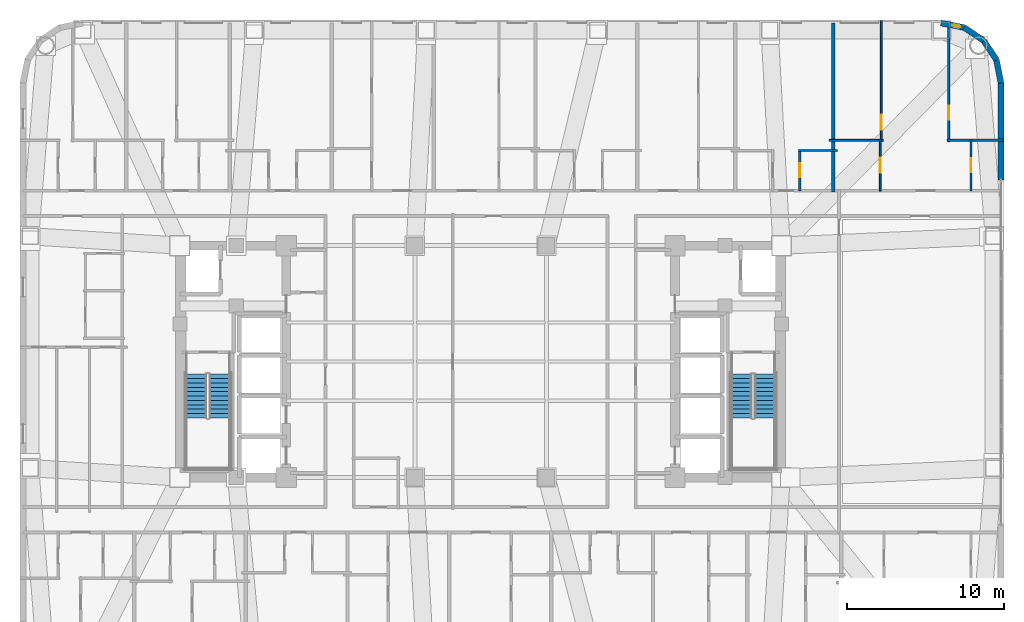
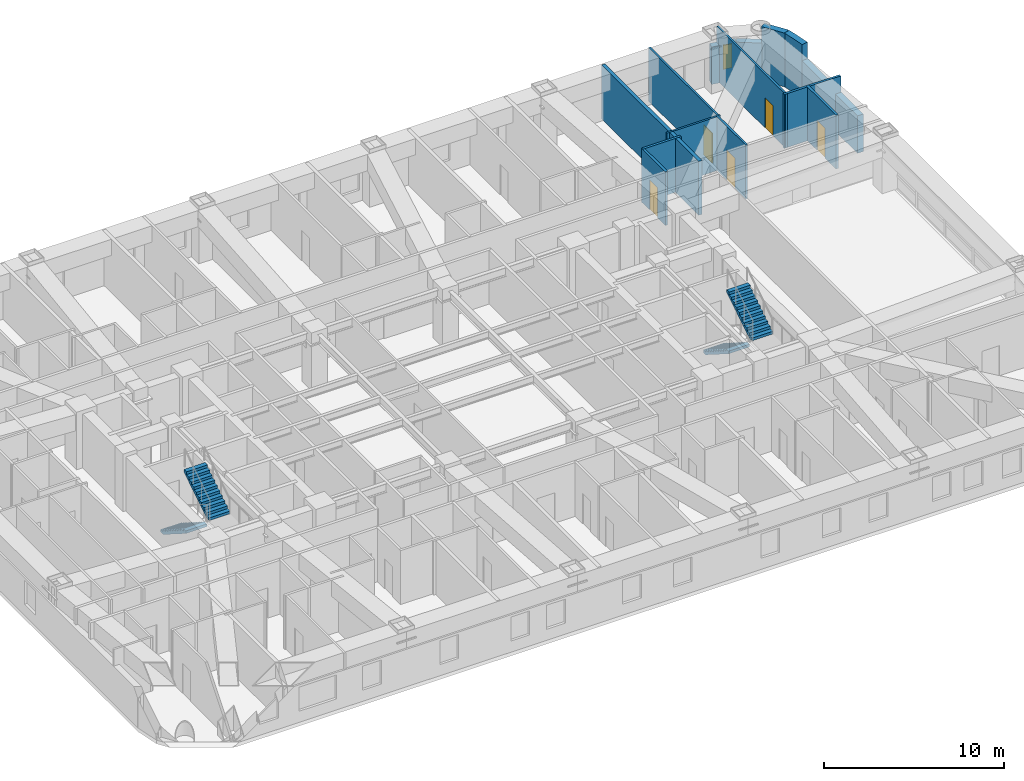
# One storey, part 14 of 16: 14 walls, 5 doors, 4 stair flights, 1 window, 6 openings, 2 elements without a shape of their own.
"""IFC4 building model written with IfcOpenShell, lengths in metres."""

from ifc_helpers import new_model, si_unit, direction, frame, frame_2d, origin, place, context, subcontext, project, spatial, polyline, rectangle, outline, extrude, material, layer, layer_set, type_object, element, fill, aggregate, save


model = new_model("IFC4")

# Units and contexts
model_context = context("Model", 3, precision=1e-05, world=origin(), true_north=direction((0.0, 1.0)))
body_context = subcontext(model_context, "Body", "Model", "MODEL_VIEW")
ifc_project = project(units=[si_unit("LENGTHUNIT", "METRE"), si_unit("AREAUNIT", "SQUARE_METRE"), si_unit("VOLUMEUNIT", "CUBIC_METRE"), si_unit("PLANEANGLEUNIT", "RADIAN"), si_unit("MASSUNIT", "GRAM", prefix="KILO")], contexts=[model_context])

# Site, building, storey
site_placement = place(None, origin())
site = spatial("IfcSite", under=ifc_project, at=site_placement, CompositionType="ELEMENT")
building_placement = place(site_placement, origin())
building = spatial("IfcBuilding", under=site, at=building_placement, Name="Voryun Gate Residences", CompositionType="ELEMENT")
storey_placement = place(building_placement, frame((0.0, 0.0, 89.699951171875)))
storey = spatial("IfcBuildingStorey", under=building, at=storey_placement, Name="L21", CompositionType="ELEMENT", Elevation=89.699951171875)

# Wall, opening, window
ifc_material_1 = material(Name="Granite masonry", Category="masonry")
ifc_layer_1 = layer(ifc_material_1, 0.3798828125, Name="W_EXT_GRANITE_380")
ifc_layer_set_1 = layer_set([ifc_layer_1], Name="Granite masonry")
wall_type_1 = type_object("IfcWallType", Name="W_EXT_GRANITE_380", PredefinedType="ELEMENTEDWALL", material=ifc_layer_set_1)
wall_1_placement = place(storey_placement, frame((29.38134765625, 21.610107421875, 0.0), z_axis=(0.0, 0.0, 1.0), x_axis=(0.980755066645, -0.195242155415, 0.0)))
wall_1 = element("IfcWall", 1, at=wall_1_placement, inside=storey, type_object=wall_type_1, Name="Exterior wall WEXT-L21-12", PredefinedType="ELEMENTEDWALL", context=body_context, shape_type="SweptSolid", body=[
    extrude(rectangle(XDim=1.50439453125, YDim=0.3798828125, at=frame_2d((0.752197265625, 0.0))), origin(), (0.0, 0.0, 1.0), 2.5400390625),
])
opening_1_placement = place(wall_1_placement, frame((0.732177734375, 0.0, 0.75)))
opening_1 = element("IfcOpeningElement", 2, at=opening_1_placement, cuts=wall_1, Name="Opening WN10", PredefinedType="OPENING", context=body_context, shape_type="SweptSolid", body=[
    extrude(rectangle(XDim=0.52001953125, YDim=1.6298828125, at=frame_2d((0.260009765625, 0.81494140625))), frame((0.0, 0.199951171875, 0.0), z_axis=(0.0, -1.0, 0.0), x_axis=(1.0, 0.0, 0.0)), (0.0, 0.0, 1.0), 0.39990234375),
])
ifc_material_2 = material(Name="Laminated low-E glass", Category="glass")
window_type = type_object("IfcWindowType", Name="WN_PAGODA_LANCET_520", PartitioningType="SINGLE_PANEL", PredefinedType="WINDOW", material=ifc_material_2)
window_placement = place(opening_1_placement, origin())
window = element("IfcWindow", 3, at=window_placement, inside=storey, type_object=window_type, Name="Window WN-L21-DWFIX-14", OverallHeight=1.6298828125, OverallWidth=0.52001953125, PartitioningType="SINGLE_PANEL", PredefinedType="WINDOW", context=body_context, shape_type="SweptSolid", body=[
    extrude(rectangle(XDim=0.52001953125, YDim=1.6298828125, at=frame_2d((0.260009765625, 0.81494140625))), frame((0.0, 0.030029296875, 0.0), z_axis=(0.0, -1.0, 0.0), x_axis=(1.0, 0.0, 0.0)), (0.0, 0.0, 1.0), 0.06005859375),
])
fill(opening_1, window)

# Walls
wall_2_placement = place(storey_placement, frame((30.856689453125, 21.31640625, 0.0), z_axis=(0.0, 0.0, 1.0), x_axis=(0.831468045563, -0.555572577804, 0.0)))
element("IfcWall", 4, at=wall_2_placement, inside=storey, type_object=wall_type_1, Name="Exterior wall WEXT-L21-13", PredefinedType="ELEMENTEDWALL", context=body_context, shape_type="SweptSolid", body=[
    extrude(rectangle(XDim=1.48486328125, YDim=0.3798828125, at=frame_2d((0.742431640625, 0.0))), origin(), (0.0, 0.0, 1.0), 2.5400390625),
])
wall_3_placement = place(storey_placement, frame((32.09130859375, 20.491455078125, 0.0), z_axis=(0.0, 0.0, 1.0), x_axis=(0.555610286119, -0.831442848281, 0.0)))
element("IfcWall", 5, at=wall_3_placement, inside=storey, type_object=wall_type_1, Name="Exterior wall WEXT-L21-14", PredefinedType="ELEMENTEDWALL", context=body_context, shape_type="SweptSolid", body=[
    extrude(rectangle(XDim=1.485107421875, YDim=0.3798828125, at=frame_2d((0.74267578125, 0.0))), origin(), (0.0, 0.0, 1.0), 3.650146484375),
])
wall_4_placement = place(storey_placement, frame((32.91650390625, 19.256591796875, 0.0), z_axis=(0.0, 0.0, 1.0), x_axis=(0.195086038585, -0.980786132421, 0.0)))
element("IfcWall", 6, at=wall_4_placement, inside=storey, type_object=wall_type_1, Name="Exterior wall WEXT-L21-15", PredefinedType="ELEMENTEDWALL", context=body_context, shape_type="SweptSolid", body=[
    extrude(rectangle(XDim=1.504150390625, YDim=0.3798828125, at=frame_2d((0.751953125, 0.0))), origin(), (0.0, 0.0, 1.0), 3.650146484375),
])
wall_5_placement = place(storey_placement, frame((33.2099609375, 17.78125, 0.0), z_axis=(0.0, 0.0, 1.0), x_axis=(0.0, -1.0, 0.0)))
element("IfcWall", 7, at=wall_5_placement, inside=storey, type_object=wall_type_1, Name="Exterior wall WEXT-L21-16A", PredefinedType="ELEMENTEDWALL", context=body_context, shape_type="SweptSolid", body=[
    extrude(rectangle(XDim=6.185302734375, YDim=0.3798828125, at=frame_2d((3.0927734375, 0.0))), origin(), (0.0, 0.0, 1.0), 2.5400390625),
])
ifc_material_3 = material(Name="Concrete C40/50", Category="concrete")
ifc_layer_2 = layer(ifc_material_3, 0.219970703125, Name="W_PARTY_ACOUSTIC_220")
ifc_layer_set_2 = layer_set([ifc_layer_2], Name="Concrete C40/50")
wall_type_2 = type_object("IfcWallType", Name="W_PARTY_ACOUSTIC_220", PredefinedType="PARTITIONING", material=ifc_layer_set_2)
wall_6_placement = place(storey_placement, frame((22.5, 10.820068359375, 0.0), z_axis=(0.0, 0.0, 1.0), x_axis=(0.0, 1.0, 0.0)))
element("IfcWall", 8, at=wall_6_placement, inside=storey, type_object=wall_type_2, Name="Partition wall WP-L21-NPTY-8", PredefinedType="PARTITIONING", context=body_context, shape_type="SweptSolid", body=[
    extrude(rectangle(XDim=10.7900390625, YDim=0.219970703125, at=frame_2d((5.39501953125, 0.0))), origin(), (0.0, 0.0, 1.0), 3.650146484375),
])

# Wall, opening, door
ifc_material_4 = material(Name="Gypsum acoustic partition")
ifc_layer_3 = layer(ifc_material_4, 0.125, Name="W_UNIT_PART_125")
ifc_layer_set_3 = layer_set([ifc_layer_3], Name="Gypsum acoustic partition")
wall_type_3 = type_object("IfcWallType", Name="W_UNIT_PART_125", PredefinedType="PARTITIONING", material=ifc_layer_set_3)
wall_7_placement = place(storey_placement, frame((25.56494140625, 14.0400390625, 0.0), z_axis=(0.0, 0.0, 1.0), x_axis=(0.0, 1.0, 0.0)))
wall_7 = element("IfcWall", 9, at=wall_7_placement, inside=storey, type_object=wall_type_3, Name="Partition wall WP-L21-N9-OVL", PredefinedType="PARTITIONING", context=body_context, shape_type="SweptSolid", body=[
    extrude(rectangle(XDim=7.719970703125, YDim=0.125, at=frame_2d((3.85986328125, 0.0))), origin(), (0.0, 0.0, 1.0), 3.650146484375),
])
opening_2_placement = place(wall_7_placement, frame((0.76025390625, 0.0, 0.0)))
opening_2 = element("IfcOpeningElement", 10, at=opening_2_placement, cuts=wall_7, Name="Opening D-INT-1", PredefinedType="OPENING", context=body_context, shape_type="SweptSolid", body=[
    extrude(rectangle(XDim=0.949951171875, YDim=2.050048828125, at=frame_2d((0.47509765625, 1.02490234375))), frame((0.0, 0.072509765625, 0.0), z_axis=(0.0, -1.0, 0.0), x_axis=(1.0, 0.0, 0.0)), (0.0, 0.0, 1.0), 0.14501953125),
])
ifc_material_5 = material(Name="Architectural oak veneer")
door_type_1 = type_object("IfcDoorType", Name="DR_INT_ROOM_950", OperationType="NOTDEFINED", PredefinedType="DOOR", material=ifc_material_5)
door_1_placement = place(opening_2_placement, origin())
door_1 = element("IfcDoor", 11, at=door_1_placement, inside=storey, type_object=door_type_1, Name="Door DR-L21-N9-DB2", OperationType="SINGLE_SWING_LEFT", OverallHeight=2.050048828125, OverallWidth=0.949951171875, PredefinedType="DOOR", context=body_context, shape_type="SweptSolid", body=[
    extrude(rectangle(XDim=0.949951171875, YDim=2.050048828125, at=frame_2d((0.47509765625, 1.02490234375))), frame((0.0, 0.02490234375, 0.0), z_axis=(0.0, -1.0, 0.0), x_axis=(1.0, 0.0, 0.0)), (0.0, 0.0, 1.0), 0.050048828125),
])
fill(opening_2, door_1)

wall_8_placement = place(storey_placement, frame((29.867919921875, 14.0400390625, 0.0), z_axis=(0.0, 0.0, 1.0), x_axis=(0.0, 1.0, 0.0)))
wall_8 = element("IfcWall", 12, at=wall_8_placement, inside=storey, type_object=wall_type_3, Name="Partition wall WP-L21-N9-OVR", PredefinedType="PARTITIONING", context=body_context, shape_type="SweptSolid", body=[
    extrude(rectangle(XDim=7.6259765625, YDim=0.125, at=frame_2d((3.81298828125, 0.0))), origin(), (0.0, 0.0, 1.0), 3.650146484375),
])
opening_3_placement = place(wall_8_placement, frame((1.38037109375, 0.0, 0.0)))
opening_3 = element("IfcOpeningElement", 13, at=opening_3_placement, cuts=wall_8, Name="Opening D-INT-2", PredefinedType="OPENING", context=body_context, shape_type="SweptSolid", body=[
    extrude(rectangle(XDim=0.89990234375, YDim=2.050048828125, at=frame_2d((0.449951171875, 1.02490234375))), frame((0.0, 0.072509765625, 0.0), z_axis=(0.0, -1.0, 0.0), x_axis=(1.0, 0.0, 0.0)), (0.0, 0.0, 1.0), 0.14501953125),
])
ifc_material_6 = material(Name="Architectural oak veneer")
door_type_2 = type_object("IfcDoorType", Name="DR_INT_BATH_900", OperationType="NOTDEFINED", PredefinedType="DOOR", material=ifc_material_6)
door_2_placement = place(opening_3_placement, origin())
door_2 = element("IfcDoor", 14, at=door_2_placement, inside=storey, type_object=door_type_2, Name="Door DR-L21-N9-DMB", OperationType="SINGLE_SWING_RIGHT", OverallHeight=2.050048828125, OverallWidth=0.89990234375, PredefinedType="DOOR", context=body_context, shape_type="SweptSolid", body=[
    extrude(rectangle(XDim=0.89990234375, YDim=2.050048828125, at=frame_2d((0.449951171875, 1.02490234375))), frame((0.0, 0.02490234375, 0.0), z_axis=(0.0, -1.0, 0.0), x_axis=(1.0, 0.0, 0.0)), (0.0, 0.0, 1.0), 0.050048828125),
])
fill(opening_3, door_2)

wall_9_placement = place(storey_placement, frame((25.5009765625, 10.8798828125, 0.0), z_axis=(0.0, 0.0, 1.0), x_axis=(0.0, 1.0, 0.0)))
wall_9 = element("IfcWall", 15, at=wall_9_placement, inside=storey, type_object=wall_type_3, Name="Partition wall WP-L21-N9-IVK", PredefinedType="PARTITIONING", context=body_context, shape_type="SweptSolid", body=[
    extrude(rectangle(XDim=3.320068359375, YDim=0.125, at=frame_2d((1.66015625, 0.0))), origin(), (0.0, 0.0, 1.0), 3.650146484375),
])
opening_4_placement = place(wall_9_placement, frame((1.18505859375, 0.0, 0.0)))
opening_4 = element("IfcOpeningElement", 16, at=opening_4_placement, cuts=wall_9, Name="Opening D-INT-1", PredefinedType="OPENING", context=body_context, shape_type="SweptSolid", body=[
    extrude(rectangle(XDim=0.949951171875, YDim=2.050048828125, at=frame_2d((0.47509765625, 1.02490234375))), frame((0.0, 0.072509765625, 0.0), z_axis=(0.0, -1.0, 0.0), x_axis=(1.0, 0.0, 0.0)), (0.0, 0.0, 1.0), 0.14501953125),
])
door_3_placement = place(opening_4_placement, origin())
door_3 = element("IfcDoor", 17, at=door_3_placement, inside=storey, type_object=door_type_1, Name="Door DR-L21-N9-DK", OperationType="SINGLE_SWING_LEFT", OverallHeight=2.050048828125, OverallWidth=0.949951171875, PredefinedType="DOOR", context=body_context, shape_type="SweptSolid", body=[
    extrude(rectangle(XDim=0.949951171875, YDim=2.050048828125, at=frame_2d((0.47509765625, 1.02490234375))), frame((0.0, 0.02490234375, 0.0), z_axis=(0.0, -1.0, 0.0), x_axis=(1.0, 0.0, 0.0)), (0.0, 0.0, 1.0), 0.050048828125),
])
fill(opening_4, door_3)

# Wall
wall_10_placement = place(storey_placement, frame((22.239990234375, 14.1201171875, 0.0), z_axis=(0.0, 0.0, 1.0), x_axis=(1.0, 0.0, 0.0)))
element("IfcWall", 18, at=wall_10_placement, inside=storey, type_object=wall_type_3, Name="Partition wall WP-L21-N9-HZK", PredefinedType="PARTITIONING", context=body_context, shape_type="SweptSolid", body=[
    extrude(rectangle(XDim=3.445068359375, YDim=0.125, at=frame_2d((1.72265625, 0.0))), origin(), (0.0, 0.0, 1.0), 3.650146484375),
])

# Wall, opening, door
ifc_material_7 = material(Name="Gypsum moisture-resistant partition")
ifc_layer_4 = layer(ifc_material_7, 0.14990234375, Name="W_WET_PLUMB_150")
ifc_layer_set_4 = layer_set([ifc_layer_4], Name="Gypsum moisture-resistant partition")
wall_type_4 = type_object("IfcWallType", Name="W_WET_PLUMB_150", PredefinedType="PLUMBINGWALL", material=ifc_layer_set_4)
wall_11_placement = place(storey_placement, frame((20.35595703125, 10.8798828125, 0.0), z_axis=(0.0, 0.0, 1.0), x_axis=(0.0, 1.0, 0.0)))
wall_11 = element("IfcWall", 19, at=wall_11_placement, inside=storey, type_object=wall_type_4, Name="Partition wall WP-L21-N8-CVB", PredefinedType="PLUMBINGWALL", context=body_context, shape_type="SweptSolid", body=[
    extrude(rectangle(XDim=2.650146484375, YDim=0.14990234375, at=frame_2d((1.3251953125, 0.0))), origin(), (0.0, 0.0, 1.0), 3.650146484375),
])
opening_5_placement = place(wall_11_placement, frame((0.875, 0.0, 0.0)))
opening_5 = element("IfcOpeningElement", 20, at=opening_5_placement, cuts=wall_11, Name="Opening D-INT-2", PredefinedType="OPENING", context=body_context, shape_type="SweptSolid", body=[
    extrude(rectangle(XDim=0.89990234375, YDim=2.050048828125, at=frame_2d((0.449951171875, 1.02490234375))), frame((0.0, 0.0849609375, 0.0), z_axis=(0.0, -1.0, 0.0), x_axis=(1.0, 0.0, 0.0)), (0.0, 0.0, 1.0), 0.169921875),
])
door_4_placement = place(opening_5_placement, origin())
door_4 = element("IfcDoor", 21, at=door_4_placement, inside=storey, type_object=door_type_2, Name="Door DR-L21-N8-DB", OperationType="SINGLE_SWING_RIGHT", OverallHeight=2.050048828125, OverallWidth=0.89990234375, PredefinedType="DOOR", context=body_context, shape_type="SweptSolid", body=[
    extrude(rectangle(XDim=0.89990234375, YDim=2.050048828125, at=frame_2d((0.449951171875, 1.02490234375))), frame((0.0, 0.02490234375, 0.0), z_axis=(0.0, -1.0, 0.0), x_axis=(1.0, 0.0, 0.0)), (0.0, 0.0, 1.0), 0.050048828125),
])
fill(opening_5, door_4)

# Walls
wall_12_placement = place(storey_placement, frame((20.2958984375, 13.469970703125, 0.0), z_axis=(0.0, 0.0, 1.0), x_axis=(1.0, 0.0, 0.0)))
element("IfcWall", 22, at=wall_12_placement, inside=storey, type_object=wall_type_4, Name="Partition wall WP-L21-N8-CHB", PredefinedType="PLUMBINGWALL", context=body_context, shape_type="SweptSolid", body=[
    extrude(rectangle(XDim=2.464111328125, YDim=0.14990234375, at=frame_2d((1.23193359375, 0.0))), origin(), (0.0, 0.0, 1.0), 3.650146484375),
])
wall_13_placement = place(storey_placement, frame((29.748046875, 14.1201171875, 0.0), z_axis=(0.0, 0.0, 1.0), x_axis=(1.0, 0.0, 0.0)))
element("IfcWall", 23, at=wall_13_placement, inside=storey, type_object=wall_type_4, Name="Partition wall WP-L21-N9-HZB", PredefinedType="PLUMBINGWALL", context=body_context, shape_type="SweptSolid", body=[
    extrude(rectangle(XDim=3.612060546875, YDim=0.14990234375, at=frame_2d((1.80615234375, 0.0))), origin(), (0.0, 0.0, 1.0), 3.650146484375),
])

# Wall, opening, door
wall_14_placement = place(storey_placement, frame((31.298095703125, 10.8798828125, 0.0), z_axis=(0.0, 0.0, 1.0), x_axis=(0.0, 1.0, 0.0)))
wall_14 = element("IfcWall", 24, at=wall_14_placement, inside=storey, type_object=wall_type_4, Name="Partition wall WP-L21-N9-IVB", PredefinedType="PLUMBINGWALL", context=body_context, shape_type="SweptSolid", body=[
    extrude(rectangle(XDim=3.320068359375, YDim=0.14990234375, at=frame_2d((1.66015625, 0.0))), origin(), (0.0, 0.0, 1.0), 3.650146484375),
])
opening_6_placement = place(wall_14_placement, frame((1.2099609375, 0.0, 0.0)))
opening_6 = element("IfcOpeningElement", 25, at=opening_6_placement, cuts=wall_14, Name="Opening D-INT-2", PredefinedType="OPENING", context=body_context, shape_type="SweptSolid", body=[
    extrude(rectangle(XDim=0.89990234375, YDim=2.050048828125, at=frame_2d((0.449951171875, 1.02490234375))), frame((0.0, 0.0849609375, 0.0), z_axis=(0.0, -1.0, 0.0), x_axis=(1.0, 0.0, 0.0)), (0.0, 0.0, 1.0), 0.169921875),
])
door_5_placement = place(opening_6_placement, origin())
door_5 = element("IfcDoor", 26, at=door_5_placement, inside=storey, type_object=door_type_2, Name="Door DR-L21-N9-DB", OperationType="SINGLE_SWING_RIGHT", OverallHeight=2.050048828125, OverallWidth=0.89990234375, PredefinedType="DOOR", context=body_context, shape_type="SweptSolid", body=[
    extrude(rectangle(XDim=0.89990234375, YDim=2.050048828125, at=frame_2d((0.449951171875, 1.02490234375))), frame((0.0, 0.02490234375, 0.0), z_axis=(0.0, -1.0, 0.0), x_axis=(1.0, 0.0, 0.0)), (0.0, 0.0, 1.0), 0.050048828125),
])
fill(opening_6, door_5)

# Stair, stair flights
ifc_material_8 = material(Name="Concrete C40/50", Category="concrete")
stair_type = type_object("IfcStairType", Name="STR_CORE_DOGLEG_1350", PredefinedType="HALF_TURN_STAIR", material=ifc_material_8)
stair_1_placement = place(storey_placement, origin())
stair_1 = element("IfcStair", 27, at=stair_1_placement, inside=storey, type_object=stair_type, Name="L21 Special Escape Stair ST-W1", PredefinedType="HALF_TURN_STAIR")
ifc_material_9 = material(Name="Concrete C40/50", Category="concrete")
stair_flight_type = type_object("IfcStairFlightType", Name="FLT_CORE_1350", PredefinedType="STRAIGHT", material=ifc_material_9)
stair_flight_1_placement = place(storey_placement, frame((-18.14990234375, -0.800048828125, 0.0), z_axis=(0.0, 0.0, 1.0), x_axis=(0.0, -1.0, 0.0)))
stair_flight_1 = element("IfcStairFlight", 28, at=stair_flight_1_placement, type_object=stair_flight_type, Name="ST-W1 flight 1", NumberOfRisers=11, NumberOfTreads=10, PredefinedType="STRAIGHT", RiserHeight=0.177272727, TreadLength=0.28, context=body_context, shape_type="SweptSolid", body=[
    extrude(outline(polyline([(0.0, 0.0), (0.0, 0.17724609375), (0.280029296875, 0.17724609375), (0.280029296875, 0.3544921875), (0.56005859375, 0.3544921875), (0.56005859375, 0.53173828125), (0.840087890625, 0.53173828125), (0.840087890625, 0.708984375), (1.1201171875, 0.708984375), (1.1201171875, 0.886474609375), (1.39990234375, 0.886474609375), (1.39990234375, 1.063720703125), (1.679931640625, 1.063720703125), (1.679931640625, 1.240966796875), (1.9599609375, 1.240966796875), (1.9599609375, 1.418212890625), (2.239990234375, 1.418212890625), (2.239990234375, 1.595458984375), (2.52001953125, 1.595458984375), (2.52001953125, 1.772705078125), (2.800048828125, 1.772705078125), (2.800048828125, 1.949951171875), (2.800048828125, 1.59521484375), (0.2802734375, 0.0), (0.0, 0.0)])), frame((0.0, 0.675048828125, 0.0), z_axis=(0.0, -1.0, 0.0), x_axis=(1.0, 0.0, 0.0)), (0.0, 0.0, 1.0), 1.35009765625),
])
stair_flight_2_placement = place(storey_placement, frame((-16.64990234375, -3.60009765625, 1.949951171875), z_axis=(0.0, 0.0, 1.0), x_axis=(0.0, 1.0, 0.0)))
stair_flight_2 = element("IfcStairFlight", 29, at=stair_flight_2_placement, type_object=stair_flight_type, Name="ST-W1 flight 2", NumberOfRisers=11, NumberOfTreads=10, PredefinedType="STRAIGHT", RiserHeight=0.177272727, TreadLength=0.28, context=body_context, shape_type="SweptSolid", body=[
    extrude(outline(polyline([(0.0, 0.0), (0.0, 0.17724609375), (0.280029296875, 0.17724609375), (0.280029296875, 0.3544921875), (0.56005859375, 0.3544921875), (0.56005859375, 0.53173828125), (0.840087890625, 0.53173828125), (0.840087890625, 0.708984375), (1.1201171875, 0.708984375), (1.1201171875, 0.886474609375), (1.39990234375, 0.886474609375), (1.39990234375, 1.063720703125), (1.679931640625, 1.063720703125), (1.679931640625, 1.240966796875), (1.9599609375, 1.240966796875), (1.9599609375, 1.418212890625), (2.239990234375, 1.418212890625), (2.239990234375, 1.595458984375), (2.52001953125, 1.595458984375), (2.52001953125, 1.772705078125), (2.800048828125, 1.772705078125), (2.800048828125, 1.949951171875), (2.800048828125, 1.59521484375), (0.2802734375, 0.0), (0.0, 0.0)])), frame((0.0, 0.675048828125, 0.0), z_axis=(0.0, -1.0, 0.0), x_axis=(1.0, 0.0, 0.0)), (0.0, 0.0, 1.0), 1.35009765625),
])
aggregate(stair_1, [stair_flight_1, stair_flight_2])

stair_2_placement = place(storey_placement, origin())
stair_2 = element("IfcStair", 30, at=stair_2_placement, inside=storey, type_object=stair_type, Name="L21 Special Escape Stair ST-E1", PredefinedType="HALF_TURN_STAIR")
stair_flight_3_placement = place(storey_placement, frame((16.64990234375, -0.800048828125, 0.0), z_axis=(0.0, 0.0, 1.0), x_axis=(0.0, -1.0, 0.0)))
stair_flight_3 = element("IfcStairFlight", 31, at=stair_flight_3_placement, type_object=stair_flight_type, Name="ST-E1 flight 1", NumberOfRisers=11, NumberOfTreads=10, PredefinedType="STRAIGHT", RiserHeight=0.177272727, TreadLength=0.28, context=body_context, shape_type="SweptSolid", body=[
    extrude(outline(polyline([(0.0, 0.0), (0.0, 0.17724609375), (0.280029296875, 0.17724609375), (0.280029296875, 0.3544921875), (0.56005859375, 0.3544921875), (0.56005859375, 0.53173828125), (0.840087890625, 0.53173828125), (0.840087890625, 0.708984375), (1.1201171875, 0.708984375), (1.1201171875, 0.886474609375), (1.39990234375, 0.886474609375), (1.39990234375, 1.063720703125), (1.679931640625, 1.063720703125), (1.679931640625, 1.240966796875), (1.9599609375, 1.240966796875), (1.9599609375, 1.418212890625), (2.239990234375, 1.418212890625), (2.239990234375, 1.595458984375), (2.52001953125, 1.595458984375), (2.52001953125, 1.772705078125), (2.800048828125, 1.772705078125), (2.800048828125, 1.949951171875), (2.800048828125, 1.59521484375), (0.2802734375, 0.0), (0.0, 0.0)])), frame((0.0, 0.675048828125, 0.0), z_axis=(0.0, -1.0, 0.0), x_axis=(1.0, 0.0, 0.0)), (0.0, 0.0, 1.0), 1.35009765625),
])
stair_flight_4_placement = place(storey_placement, frame((18.14990234375, -3.60009765625, 1.949951171875), z_axis=(0.0, 0.0, 1.0), x_axis=(0.0, 1.0, 0.0)))
stair_flight_4 = element("IfcStairFlight", 32, at=stair_flight_4_placement, type_object=stair_flight_type, Name="ST-E1 flight 2", NumberOfRisers=11, NumberOfTreads=10, PredefinedType="STRAIGHT", RiserHeight=0.177272727, TreadLength=0.28, context=body_context, shape_type="SweptSolid", body=[
    extrude(outline(polyline([(0.0, 0.0), (0.0, 0.17724609375), (0.280029296875, 0.17724609375), (0.280029296875, 0.3544921875), (0.56005859375, 0.3544921875), (0.56005859375, 0.53173828125), (0.840087890625, 0.53173828125), (0.840087890625, 0.708984375), (1.1201171875, 0.708984375), (1.1201171875, 0.886474609375), (1.39990234375, 0.886474609375), (1.39990234375, 1.063720703125), (1.679931640625, 1.063720703125), (1.679931640625, 1.240966796875), (1.9599609375, 1.240966796875), (1.9599609375, 1.418212890625), (2.239990234375, 1.418212890625), (2.239990234375, 1.595458984375), (2.52001953125, 1.595458984375), (2.52001953125, 1.772705078125), (2.800048828125, 1.772705078125), (2.800048828125, 1.949951171875), (2.800048828125, 1.59521484375), (0.2802734375, 0.0), (0.0, 0.0)])), frame((0.0, 0.675048828125, 0.0), z_axis=(0.0, -1.0, 0.0), x_axis=(1.0, 0.0, 0.0)), (0.0, 0.0, 1.0), 1.35009765625),
])
aggregate(stair_2, [stair_flight_3, stair_flight_4])

save(model, "model.ifc")
